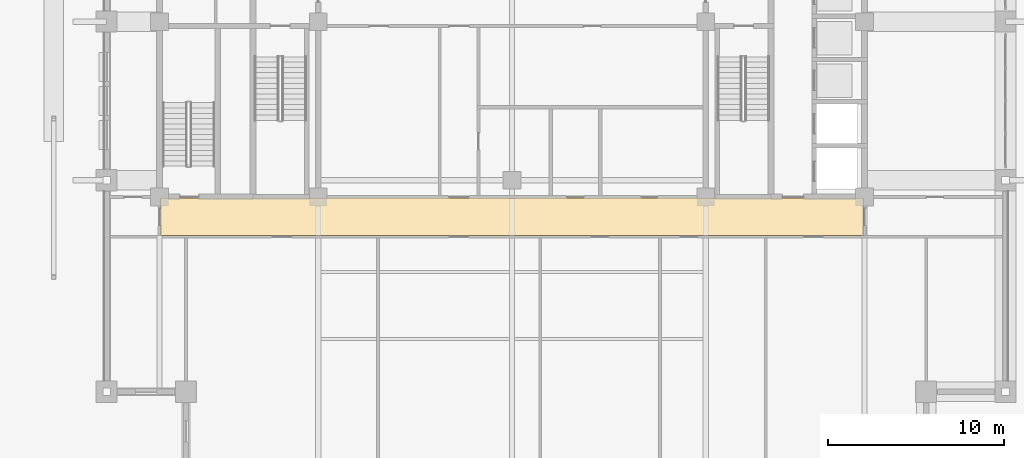
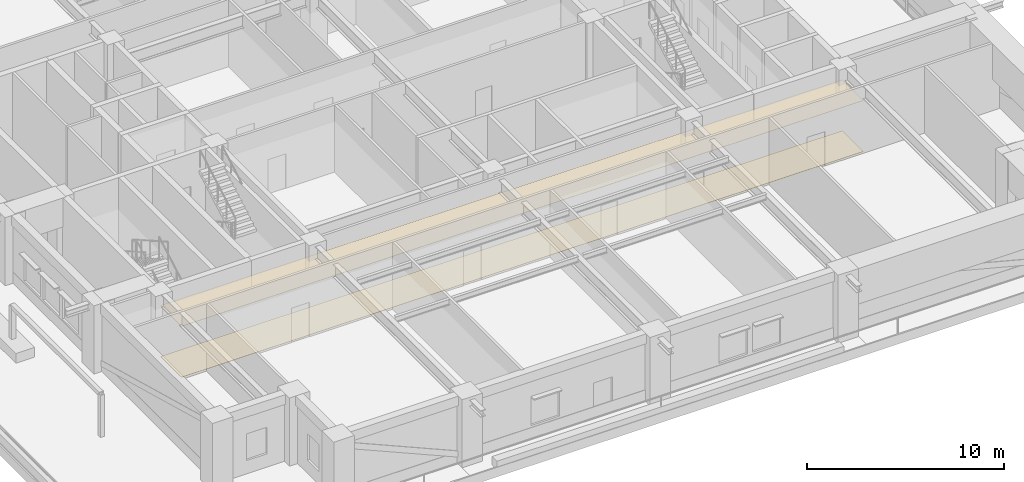
# One storey, part 17 of 21: 2 coverings.
"""IFC4 building model written with IfcOpenShell, lengths in metres."""

from ifc_helpers import new_model, si_unit, direction, frame, origin, place, context, subcontext, project, spatial, polyline, outline, extrude, material, layer, layer_set, type_object, element, save


model = new_model("IFC4")

# Units and contexts
model_context = context("Model", 3, precision=1e-05, world=origin(), true_north=direction((0.0, 1.0)))
body_context = subcontext(model_context, "Body", "Model", "MODEL_VIEW")
ifc_project = project(units=[si_unit("LENGTHUNIT", "METRE"), si_unit("AREAUNIT", "SQUARE_METRE"), si_unit("VOLUMEUNIT", "CUBIC_METRE"), si_unit("PLANEANGLEUNIT", "RADIAN"), si_unit("MASSUNIT", "GRAM", prefix="KILO")], contexts=[model_context])

# Site, building, storey
site_placement = place(None, origin())
site = spatial("IfcSite", under=ifc_project, at=site_placement, CompositionType="ELEMENT")
building_placement = place(site_placement, origin())
building = spatial("IfcBuilding", under=site, at=building_placement, Name="Zulmaris Gate Convention Tower", CompositionType="ELEMENT")
storey_placement = place(building_placement, frame((0.0, 0.0, 86.93994140625)))
storey = spatial("IfcBuildingStorey", under=building, at=storey_placement, Name="L21", CompositionType="ELEMENT", Elevation=86.93994140625)

# Coverings
ifc_material_1 = material(Name="Mineral Fibre Acoustic Ceiling Tile")
ifc_layer_1 = layer(ifc_material_1, 0.02001953125, Name="Mineral Fibre Acoustic Ceiling Tile")
ifc_layer_set_1 = layer_set([ifc_layer_1], Name="Mineral Fibre Acoustic Ceiling Tile")
covering_type_1 = type_object("IfcCoveringType", Name="CLG-ACOUSTIC-600", PredefinedType="CEILING", material=ifc_layer_set_1)
covering_1_placement = place(storey_placement, frame((0.0, 0.0, 3.153076171875)))
element("IfcCovering", 1, at=covering_1_placement, inside=storey, type_object=covering_type_1, Name="CLG-L21-R35", PredefinedType="CEILING", context=body_context, shape_type="SweptSolid", body=[
    extrude(outline(polyline([(-19.93994140625, -12.139892578125), (19.93994140625, -12.139892578125), (19.93994140625, -10.010009765625), (-19.93994140625, -10.010009765625), (-19.93994140625, -12.139892578125)])), origin(), (0.0, 0.0, 1.0), 0.019775390625),
])
ifc_material_2 = material(Name="Woven Acoustic Wool Carpet Tile")
ifc_layer_2 = layer(ifc_material_2, 0.02001953125, Name="Woven Acoustic Wool Carpet Tile")
ifc_layer_set_2 = layer_set([ifc_layer_2], Name="Woven Acoustic Wool Carpet Tile")
covering_type_2 = type_object("IfcCoveringType", Name="FLR-CARPET-12", PredefinedType="FLOORING", material=ifc_layer_set_2)
covering_2_placement = place(storey_placement, origin())
element("IfcCovering", 2, at=covering_2_placement, inside=storey, type_object=covering_type_2, Name="FLR-L21-R35", PredefinedType="FLOORING", context=body_context, shape_type="SweptSolid", body=[
    extrude(outline(polyline([(-19.93994140625, -12.139892578125), (19.93994140625, -12.139892578125), (19.93994140625, -10.010009765625), (-19.93994140625, -10.010009765625), (-19.93994140625, -12.139892578125)])), origin(), (0.0, 0.0, 1.0), 0.02001953125),
])

save(model, "model.ifc")
